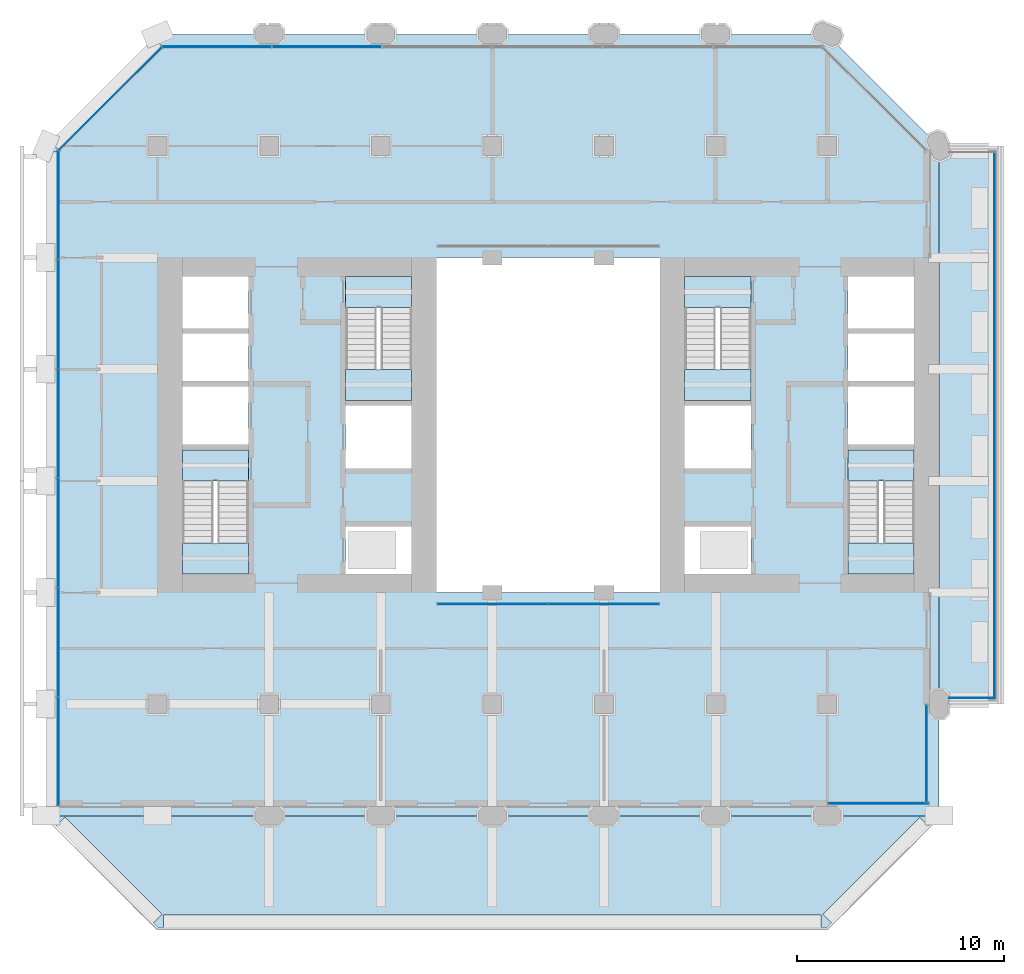
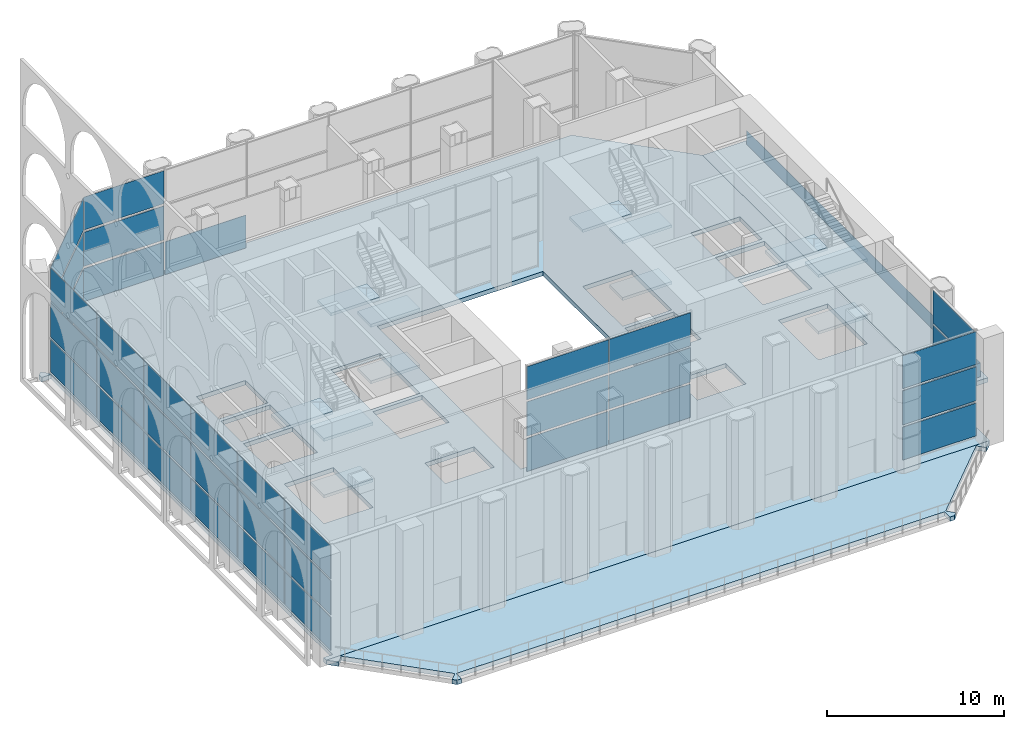
# One storey, part 8 of 20: 39 plates, 15 slabs, 10 elements without a shape of their own.
"""IFC4 building model written with IfcOpenShell, lengths in metres."""

import ifcopenshell
import ifcopenshell.guid

model = None  # the IFC model being written
_history = None  # IfcOwnerHistory: only IFC2X3 demands one
_inside = {}  # id of a spatial element -> (the spatial element, [elements in it])
_under = {}  # id of a project, library or spatial element -> (it, [spatial elements below it])
_declared = {}  # id of a project -> (the project, [libraries it declares])
_typed = {}  # id of a type object -> (the type object, [elements of that type])
_made_of = {}  # id of a material, layer set ... -> (it, [elements and type objects made of it])


def new_model(schema):
    """Start an empty IFC model of exactly this schema.

    Asked for "IFC4X3", IfcOpenShell would pick the latest addendum, in which some entities
    have other attributes; the version numbers below select the first issue.
    IFC2X3 requires an IfcOwnerHistory on every rooted entity: one is made here for all.
    """
    global model, _history
    if schema == "IFC4X3":
        model = ifcopenshell.file(schema_version=(4, 3, 0, 0))
    else:
        model = ifcopenshell.file(schema=schema)
    _inside.clear()
    _under.clear()
    _declared.clear()
    _typed.clear()
    _made_of.clear()
    _history = None
    if model.schema == "IFC2X3":
        org = make("IfcOrganization", Name="unknown")
        user = make(
            "IfcPersonAndOrganization",
            ThePerson=make("IfcPerson", FamilyName="unknown"),
            TheOrganization=org,
        )
        app = make(
            "IfcApplication",
            ApplicationDeveloper=org,
            Version="unknown",
            ApplicationFullName="unknown",
            ApplicationIdentifier="unknown",
        )
        _history = make(
            "IfcOwnerHistory",
            OwningUser=user,
            OwningApplication=app,
            ChangeAction="ADDED",
            CreationDate=0,
        )
    return model


def make(cls, **values):
    """One entity of the class cls with the attributes given. An attribute that is None is left unset."""
    return model.create_entity(
        cls, **{name: value for name, value in values.items() if value is not None}
    )


def rooted(cls, **values):
    """An entity with a GlobalId (a new one), such as an element, a storey or a relation."""
    return make(cls, GlobalId=ifcopenshell.guid.new(), OwnerHistory=_history, **values)


def si_unit(unit_type, name, prefix=None):
    """IfcSIUnit, for example si_unit("LENGTHUNIT", "METRE", prefix="MILLI")."""
    return make("IfcSIUnit", UnitType=unit_type, Prefix=prefix, Name=name)


def assignment(units):
    """IfcUnitAssignment: the units of a project."""
    return None if units is None else make("IfcUnitAssignment", Units=units)


def point(xyz):
    """IfcCartesianPoint."""
    return None if xyz is None else make("IfcCartesianPoint", Coordinates=xyz)


def direction(xyz):
    """IfcDirection."""
    return None if xyz is None else make("IfcDirection", DirectionRatios=xyz)


def frame(location, z_axis=None, x_axis=None):
    """IfcAxis2Placement3D, a coordinate frame: its origin and axes. An axis left out is left unset."""
    return make(
        "IfcAxis2Placement3D",
        Location=point(location),
        Axis=direction(z_axis),
        RefDirection=direction(x_axis),
    )


def frame_2d(location, x_axis=None):
    """IfcAxis2Placement2D, a coordinate frame in the plane: its origin and x axis."""
    return make(
        "IfcAxis2Placement2D", Location=point(location), RefDirection=direction(x_axis)
    )


def origin():
    """The frame at (0, 0, 0) with its axes left unset."""
    return frame((0.0, 0.0, 0.0))


def origin_2d():
    """The frame at (0, 0) in the plane with its x axis left unset."""
    return frame_2d((0.0, 0.0))


def place(relative_to, where):
    """IfcLocalPlacement: puts the frame where relative to a parent placement (None: the world)."""
    return make(
        "IfcLocalPlacement", PlacementRelTo=relative_to, RelativePlacement=where
    )


def context(
    kind, dimensions, precision=None, world=None, true_north=None, identifier=None
):
    """IfcGeometricRepresentationContext, for example the 3D "Model" context."""
    return make(
        "IfcGeometricRepresentationContext",
        ContextIdentifier=identifier,
        ContextType=kind,
        CoordinateSpaceDimension=dimensions,
        Precision=precision,
        WorldCoordinateSystem=world,
        TrueNorth=true_north,
    )


def subcontext(parent, identifier, kind, view, scale=None):
    """IfcGeometricRepresentationSubContext, for example "Body" below "Model"."""
    return make(
        "IfcGeometricRepresentationSubContext",
        ContextIdentifier=identifier,
        ContextType=kind,
        ParentContext=parent,
        TargetScale=scale,
        TargetView=view,
    )


def project(units=None, contexts=None):
    """IfcProject with its units and contexts."""
    return rooted(
        "IfcProject",
        Name="project",
        RepresentationContexts=contexts,
        UnitsInContext=assignment(units),
    )


def spatial(cls, under=None, at=None, **own):
    """A site, building, storey or space (cls), placed at a placement, below another one or the project."""
    s = rooted(cls, ObjectPlacement=at, **own)
    if under is not None:
        _under.setdefault(under.id(), (under, []))[1].append(s)
    return s


def polyline(points):
    """IfcPolyline through the points."""
    return make("IfcPolyline", Points=[point(p) for p in points])


def profile(cls, at=None, kind="AREA", **sizes):
    """A parametric profile (cls). Its sizes go by their IFC names, for example OverallWidth=200.0."""
    return make(cls, ProfileType=kind, Position=at, **sizes)


def rectangle(**sizes):
    """IfcRectangleProfileDef."""
    return profile("IfcRectangleProfileDef", **sizes)


def outline(outer, holes=None, kind="AREA"):
    """IfcArbitraryClosedProfileDef: a profile drawn as a closed curve; with holes, ...WithVoids."""
    if holes is None:
        return make("IfcArbitraryClosedProfileDef", ProfileType=kind, OuterCurve=outer)
    return make(
        "IfcArbitraryProfileDefWithVoids",
        ProfileType=kind,
        OuterCurve=outer,
        InnerCurves=holes,
    )


def extrude(swept, where, along, depth):
    """IfcExtrudedAreaSolid: the profile swept, set in the frame where, extruded along a direction by depth."""
    return make(
        "IfcExtrudedAreaSolid",
        SweptArea=swept,
        Position=where,
        ExtrudedDirection=direction(along),
        Depth=depth,
    )


def shape(context_of_items, identifier, shape_type, items):
    """IfcShapeRepresentation: the items that make up one representation, for example the "Body"."""
    return make(
        "IfcShapeRepresentation",
        ContextOfItems=context_of_items,
        RepresentationIdentifier=identifier,
        RepresentationType=shape_type,
        Items=items,
    )


def material(Name=None, Category=None):
    """IfcMaterial."""
    return make("IfcMaterial", Name=Name, Category=Category)


def layer(
    of_material, thickness, ventilated=None, Name=None, Category=None, Priority=None
):
    """IfcMaterialLayer: one layer of a wall or slab, of a material (None: an air gap)."""
    return make(
        "IfcMaterialLayer",
        Material=of_material,
        LayerThickness=thickness,
        IsVentilated=ventilated,
        Name=Name,
        Category=Category,
        Priority=Priority,
    )


def layer_set(layers, Name=None):
    """IfcMaterialLayerSet."""
    return make("IfcMaterialLayerSet", MaterialLayers=layers, LayerSetName=Name)


def made_of(thing, what):
    """Note that an element or type object is made of a material, layer set ...; save() writes the relation."""
    if what is not None:
        _made_of.setdefault(what.id(), (what, []))[1].append(thing)
    return thing


def type_object(cls, material=None, **own):
    """A type object (cls), such as IfcWallType, which elements share."""
    return made_of(rooted(cls, **own), material)


def element(
    cls,
    number,
    at=None,
    inside=None,
    cuts=None,
    type_object=None,
    material=None,
    context=None,
    identifier="Body",
    shape_type=None,
    held_by="IfcProductDefinitionShape",
    body=None,
    shapes=None,
    **own,
):
    """One element of the class cls, such as IfcWall. Its Tag is "e" and its number.

    at: its placement. inside: the storey or other place that contains it. cuts: it is an
    opening in that element (IfcRelVoidsElement). A single representation is given by context,
    identifier, shape_type and body (its items); several are given by shapes. held_by: the class
    of the entity that holds the representations. save() writes the other relations.
    """
    e = rooted(cls, Tag="e%d" % number, ObjectPlacement=at, **own)
    if body is not None:
        shapes = [shape(context, identifier, shape_type, body)]
    if shapes is not None:
        e.Representation = make(held_by, Representations=shapes)
    if inside is not None:
        _inside.setdefault(inside.id(), (inside, []))[1].append(e)
    if cuts is not None:
        rooted(
            "IfcRelVoidsElement", RelatingBuildingElement=cuts, RelatedOpeningElement=e
        )
    if type_object is not None:
        _typed.setdefault(type_object.id(), (type_object, []))[1].append(e)
    return made_of(e, material)


def aggregate(whole, parts):
    """IfcRelAggregates: a whole, such as a stair, and the parts it consists of."""
    return rooted("IfcRelAggregates", RelatingObject=whole, RelatedObjects=parts)


def save(model, path):
    """Write the relations noted so far, then the file.

    IfcRelAggregates (storeys below a building ...), IfcRelContainedInSpatialStructure (elements
    in a storey), IfcRelDefinesByType, IfcRelAssociatesMaterial and IfcRelDeclares: one each for
    every whole, place, type object, material and project.
    """
    for whole, parts in _under.values():
        aggregate(whole, parts)
    for where, things in _inside.values():
        rooted(
            "IfcRelContainedInSpatialStructure",
            RelatedElements=things,
            RelatingStructure=where,
        )
    for kind, things in _typed.values():
        rooted("IfcRelDefinesByType", RelatedObjects=things, RelatingType=kind)
    for what, things in _made_of.values():
        rooted("IfcRelAssociatesMaterial", RelatedObjects=things, RelatingMaterial=what)
    for by, libraries in _declared.values():
        rooted("IfcRelDeclares", RelatingContext=by, RelatedDefinitions=libraries)
    model.write(path)


model = new_model("IFC4")

# Units and contexts
model_context = context("Model", 3, precision=1e-05, world=origin(), true_north=direction((0.0, 1.0)))
body_context = subcontext(model_context, "Body", "Model", "MODEL_VIEW")
ifc_project = project(units=[si_unit("LENGTHUNIT", "METRE"), si_unit("AREAUNIT", "SQUARE_METRE"), si_unit("VOLUMEUNIT", "CUBIC_METRE"), si_unit("PLANEANGLEUNIT", "RADIAN"), si_unit("MASSUNIT", "GRAM", prefix="KILO")], contexts=[model_context])

# Site, building, storey
site_placement = place(None, origin())
site = spatial("IfcSite", under=ifc_project, at=site_placement, CompositionType="ELEMENT")
building_placement = place(site_placement, origin())
building = spatial("IfcBuilding", under=site, at=building_placement, Name="Tabaq Tower and Sports Hall", CompositionType="ELEMENT")
storey_placement = place(building_placement, frame((0.0, 0.0, 130.60009765625)))
storey = spatial("IfcBuildingStorey", under=building, at=storey_placement, Name="L31", CompositionType="ELEMENT", Elevation=130.60009765625)

# Curtain wall, plates
ifc_material_1 = material(Name="Aluminium alloy 6063-T6 framed glazing", Category="aluminium")
curtain_wall_type_1 = type_object("IfcCurtainWallType", Name="CW1 curtain wall", PredefinedType="USERDEFINED", material=ifc_material_1)
curtain_wall_1_placement = place(storey_placement, origin())
curtain_wall_1 = element("IfcCurtainWall", 1, at=curtain_wall_1_placement, inside=storey, type_object=curtain_wall_type_1, Name="Atrium glazing L31 S", ObjectType="ATRIUM ENCLOSURE", PredefinedType="USERDEFINED")
ifc_material_2 = material(Name="Clear low-emissivity glass 28 mm", Category="glass")
ifc_layer_1 = layer(ifc_material_2, 0.028076171875)
ifc_layer_set_1 = layer_set([ifc_layer_1], Name="CW1 glass panel 28")
plate_type_1 = type_object("IfcPlateType", Name="CW1 glass panel 28", PredefinedType="CURTAIN_PANEL", material=ifc_layer_set_1)
plate_1_placement = place(storey_placement, frame((21.614990234375, 15.64990234375, 0.139892578125), z_axis=(0.0, 0.0, 1.0), x_axis=(1.0, 0.0, 0.0)))
plate_1 = element("IfcPlate", 2, at=plate_1_placement, type_object=plate_type_1, Name="CW1 panel 1.1", PredefinedType="CURTAIN_PANEL", context=body_context, shape_type="SweptSolid", body=[
    extrude(rectangle(XDim=5.31005859375, YDim=0.028076171875, at=origin_2d()), origin(), (0.0, 0.0, 1.0), 2.2900390625),
])
plate_2_placement = place(storey_placement, frame((21.614990234375, 15.64990234375, 2.56982421875), z_axis=(0.0, 0.0, 1.0), x_axis=(1.0, 0.0, 0.0)))
plate_2 = element("IfcPlate", 3, at=plate_2_placement, type_object=plate_type_1, Name="CW1 panel 1.2", PredefinedType="CURTAIN_PANEL", context=body_context, shape_type="SweptSolid", body=[
    extrude(rectangle(XDim=5.31005859375, YDim=0.028076171875, at=origin_2d()), origin(), (0.0, 0.0, 1.0), 2.360107421875),
])
plate_3_placement = place(storey_placement, frame((21.614990234375, 15.64990234375, 5.06982421875), z_axis=(0.0, 0.0, 1.0), x_axis=(1.0, 0.0, 0.0)))
plate_3 = element("IfcPlate", 4, at=plate_3_placement, type_object=plate_type_1, Name="CW1 panel 1.3", PredefinedType="CURTAIN_PANEL", context=body_context, shape_type="SweptSolid", body=[
    extrude(rectangle(XDim=5.31005859375, YDim=0.028076171875, at=origin_2d()), origin(), (0.0, 0.0, 1.0), 2.2900390625),
])
plate_4_placement = place(storey_placement, frame((26.985107421875, 15.64990234375, 0.139892578125), z_axis=(0.0, 0.0, 1.0), x_axis=(1.0, 0.0, 0.0)))
plate_4 = element("IfcPlate", 5, at=plate_4_placement, type_object=plate_type_1, Name="CW1 panel 2.1", PredefinedType="CURTAIN_PANEL", context=body_context, shape_type="SweptSolid", body=[
    extrude(rectangle(XDim=5.31005859375, YDim=0.028076171875, at=origin_2d()), origin(), (0.0, 0.0, 1.0), 2.2900390625),
])
plate_5_placement = place(storey_placement, frame((26.985107421875, 15.64990234375, 2.56982421875), z_axis=(0.0, 0.0, 1.0), x_axis=(1.0, 0.0, 0.0)))
plate_5 = element("IfcPlate", 6, at=plate_5_placement, type_object=plate_type_1, Name="CW1 panel 2.2", PredefinedType="CURTAIN_PANEL", context=body_context, shape_type="SweptSolid", body=[
    extrude(rectangle(XDim=5.31005859375, YDim=0.028076171875, at=origin_2d()), origin(), (0.0, 0.0, 1.0), 2.360107421875),
])
plate_6_placement = place(storey_placement, frame((26.985107421875, 15.64990234375, 5.06982421875), z_axis=(0.0, 0.0, 1.0), x_axis=(1.0, 0.0, 0.0)))
plate_6 = element("IfcPlate", 7, at=plate_6_placement, type_object=plate_type_1, Name="CW1 panel 2.3", PredefinedType="CURTAIN_PANEL", context=body_context, shape_type="SweptSolid", body=[
    extrude(rectangle(XDim=5.31005859375, YDim=0.028076171875, at=origin_2d()), origin(), (0.0, 0.0, 1.0), 2.2900390625),
])
aggregate(curtain_wall_1, [plate_1, plate_2, plate_3, plate_4, plate_5, plate_6])

ifc_material_3 = material(Name="Aluminium alloy 6063-T6 framed glazing", Category="aluminium")
curtain_wall_type_2 = type_object("IfcCurtainWallType", Name="CW2 curtain wall", PredefinedType="USERDEFINED", material=ifc_material_3)
curtain_wall_2_placement = place(storey_placement, origin())
curtain_wall_2 = element("IfcCurtainWall", 8, at=curtain_wall_2_placement, inside=storey, type_object=curtain_wall_type_2, Name="Sky Lobby Wall L31 S", ObjectType="SKY LOBBY WALL", PredefinedType="USERDEFINED")
ifc_material_4 = material(Name="Clear low-emissivity glass 28 mm", Category="glass")
ifc_layer_2 = layer(ifc_material_4, 0.031982421875)
ifc_layer_set_2 = layer_set([ifc_layer_2], Name="CW2 glass panel 32")
plate_type_2 = type_object("IfcPlateType", Name="CW2 glass panel 32", PredefinedType="CURTAIN_PANEL", material=ifc_layer_set_2)
plate_7_placement = place(storey_placement, frame((40.27490234375, 6.0, 0.15966796875), z_axis=(0.0, 0.0, 1.0), x_axis=(1.0, 0.0, 0.0)))
plate_7 = element("IfcPlate", 9, at=plate_7_placement, type_object=plate_type_2, Name="CW2 panel 1.1", PredefinedType="CURTAIN_PANEL", context=body_context, shape_type="SweptSolid", body=[
    extrude(rectangle(XDim=4.81005859375, YDim=0.031982421875, at=origin_2d()), origin(), (0.0, 0.0, 1.0), 2.260009765625),
])
plate_8_placement = place(storey_placement, frame((40.27490234375, 6.0, 2.580078125), z_axis=(0.0, 0.0, 1.0), x_axis=(1.0, 0.0, 0.0)))
plate_8 = element("IfcPlate", 10, at=plate_8_placement, type_object=plate_type_2, Name="CW2 panel 1.2", PredefinedType="CURTAIN_PANEL", context=body_context, shape_type="SweptSolid", body=[
    extrude(rectangle(XDim=4.81005859375, YDim=0.031982421875, at=origin_2d()), origin(), (0.0, 0.0, 1.0), 2.340087890625),
])
plate_9_placement = place(storey_placement, frame((40.27490234375, 6.0, 5.080078125), z_axis=(0.0, 0.0, 1.0), x_axis=(1.0, 0.0, 0.0)))
plate_9 = element("IfcPlate", 11, at=plate_9_placement, type_object=plate_type_2, Name="CW2 panel 1.3", PredefinedType="CURTAIN_PANEL", context=body_context, shape_type="SweptSolid", body=[
    extrude(rectangle(XDim=4.81005859375, YDim=0.031982421875, at=origin_2d()), origin(), (0.0, 0.0, 1.0), 2.260009765625),
])
aggregate(curtain_wall_2, [plate_7, plate_8, plate_9])

curtain_wall_3_placement = place(storey_placement, origin())
curtain_wall_3 = element("IfcCurtainWall", 12, at=curtain_wall_3_placement, inside=storey, type_object=curtain_wall_type_2, Name="Sky Lobby Wall L31 E", ObjectType="SKY LOBBY WALL", PredefinedType="USERDEFINED")
plate_10_placement = place(storey_placement, frame((42.60009765625, 8.39990234375, 0.15966796875), z_axis=(0.0, 0.0, 1.0), x_axis=(0.0, 1.0, 0.0)))
plate_10 = element("IfcPlate", 13, at=plate_10_placement, type_object=plate_type_2, Name="CW2 panel 1.1", PredefinedType="CURTAIN_PANEL", context=body_context, shape_type="SweptSolid", body=[
    extrude(rectangle(XDim=4.659912109375, YDim=0.031982421875, at=origin_2d()), origin(), (0.0, 0.0, 1.0), 2.260009765625),
])
plate_11_placement = place(storey_placement, frame((42.60009765625, 8.39990234375, 2.580078125), z_axis=(0.0, 0.0, 1.0), x_axis=(0.0, 1.0, 0.0)))
plate_11 = element("IfcPlate", 14, at=plate_11_placement, type_object=plate_type_2, Name="CW2 panel 1.2", PredefinedType="CURTAIN_PANEL", context=body_context, shape_type="SweptSolid", body=[
    extrude(rectangle(XDim=4.659912109375, YDim=0.031982421875, at=origin_2d()), origin(), (0.0, 0.0, 1.0), 2.340087890625),
])
plate_12_placement = place(storey_placement, frame((42.60009765625, 8.39990234375, 5.080078125), z_axis=(0.0, 0.0, 1.0), x_axis=(0.0, 1.0, 0.0)))
plate_12 = element("IfcPlate", 15, at=plate_12_placement, type_object=plate_type_2, Name="CW2 panel 1.3", PredefinedType="CURTAIN_PANEL", context=body_context, shape_type="SweptSolid", body=[
    extrude(rectangle(XDim=4.659912109375, YDim=0.031982421875, at=origin_2d()), origin(), (0.0, 0.0, 1.0), 2.260009765625),
])
aggregate(curtain_wall_3, [plate_10, plate_11, plate_12])

curtain_wall_4_placement = place(storey_placement, origin())
curtain_wall_4 = element("IfcCurtainWall", 16, at=curtain_wall_4_placement, inside=storey, type_object=curtain_wall_type_2, Name="Sky Lobby Wall L31 N", ObjectType="SKY LOBBY WALL", PredefinedType="USERDEFINED")
plate_13_placement = place(storey_placement, frame((13.59326171875, 42.60009765625, 0.15966796875), z_axis=(0.0, 0.0, 1.0), x_axis=(-1.0, 0.0, 0.0)))
plate_13 = element("IfcPlate", 17, at=plate_13_placement, type_object=plate_type_2, Name="CW2 panel 5.1", PredefinedType="CURTAIN_PANEL", context=body_context, shape_type="SweptSolid", body=[
    extrude(rectangle(XDim=5.267822265625, YDim=0.031982421875, at=origin_2d()), origin(), (0.0, 0.0, 1.0), 2.260009765625),
])
plate_14_placement = place(storey_placement, frame((8.27294921875, 42.60009765625, 0.15966796875), z_axis=(0.0, 0.0, 1.0), x_axis=(-1.0, 0.0, 0.0)))
plate_14 = element("IfcPlate", 18, at=plate_14_placement, type_object=plate_type_2, Name="CW2 panel 6.1", PredefinedType="CURTAIN_PANEL", context=body_context, shape_type="SweptSolid", body=[
    extrude(rectangle(XDim=5.23291015625, YDim=0.031982421875, at=origin_2d()), origin(), (0.0, 0.0, 1.0), 2.260009765625),
])
plate_15_placement = place(storey_placement, frame((8.27294921875, 42.60009765625, 2.580078125), z_axis=(0.0, 0.0, 1.0), x_axis=(-1.0, 0.0, 0.0)))
plate_15 = element("IfcPlate", 19, at=plate_15_placement, type_object=plate_type_2, Name="CW2 panel 6.2", PredefinedType="CURTAIN_PANEL", context=body_context, shape_type="SweptSolid", body=[
    extrude(rectangle(XDim=5.23291015625, YDim=0.031982421875, at=origin_2d()), origin(), (0.0, 0.0, 1.0), 2.340087890625),
])
plate_16_placement = place(storey_placement, frame((8.27294921875, 42.60009765625, 5.080078125), z_axis=(0.0, 0.0, 1.0), x_axis=(-1.0, 0.0, 0.0)))
plate_16 = element("IfcPlate", 20, at=plate_16_placement, type_object=plate_type_2, Name="CW2 panel 6.3", PredefinedType="CURTAIN_PANEL", context=body_context, shape_type="SweptSolid", body=[
    extrude(rectangle(XDim=5.23291015625, YDim=0.031982421875, at=origin_2d()), origin(), (0.0, 0.0, 1.0), 2.260009765625),
])
aggregate(curtain_wall_4, [plate_13, plate_14, plate_15, plate_16])

curtain_wall_5_placement = place(storey_placement, origin())
curtain_wall_5 = element("IfcCurtainWall", 21, at=curtain_wall_5_placement, inside=storey, type_object=curtain_wall_type_2, Name="Sky Lobby Wall L31 NW", ObjectType="SKY LOBBY WALL", PredefinedType="USERDEFINED")
plate_17_placement = place(storey_placement, frame((3.124267578125, 40.07568359375, 0.15966796875), z_axis=(0.0, 0.0, 1.0), x_axis=(-0.707106781187, -0.707106781187, 0.0)))
plate_17 = element("IfcPlate", 22, at=plate_17_placement, type_object=plate_type_2, Name="CW2 panel 1.1", PredefinedType="CURTAIN_PANEL", context=body_context, shape_type="SweptSolid", body=[
    extrude(rectangle(XDim=6.999755859375, YDim=0.031982421875, at=origin_2d()), origin(), (0.0, 0.0, 1.0), 2.260009765625),
])
plate_18_placement = place(storey_placement, frame((3.124267578125, 40.07568359375, 2.580078125), z_axis=(0.0, 0.0, 1.0), x_axis=(-0.707106781187, -0.707106781187, 0.0)))
plate_18 = element("IfcPlate", 23, at=plate_18_placement, type_object=plate_type_2, Name="CW2 panel 1.2", PredefinedType="CURTAIN_PANEL", context=body_context, shape_type="SweptSolid", body=[
    extrude(rectangle(XDim=6.999755859375, YDim=0.031982421875, at=origin_2d()), origin(), (0.0, 0.0, 1.0), 2.340087890625),
])
plate_19_placement = place(storey_placement, frame((3.124267578125, 40.07568359375, 5.080078125), z_axis=(0.0, 0.0, 1.0), x_axis=(-0.707106781187, -0.707106781187, 0.0)))
plate_19 = element("IfcPlate", 24, at=plate_19_placement, type_object=plate_type_2, Name="CW2 panel 1.3", PredefinedType="CURTAIN_PANEL", context=body_context, shape_type="SweptSolid", body=[
    extrude(rectangle(XDim=6.999755859375, YDim=0.031982421875, at=origin_2d()), origin(), (0.0, 0.0, 1.0), 2.260009765625),
])
aggregate(curtain_wall_5, [plate_17, plate_18, plate_19])

curtain_wall_6_placement = place(storey_placement, origin())
curtain_wall_6 = element("IfcCurtainWall", 25, at=curtain_wall_6_placement, inside=storey, type_object=curtain_wall_type_2, Name="Sky Lobby Wall L31 W", ObjectType="SKY LOBBY WALL", PredefinedType="USERDEFINED")
plate_20_placement = place(storey_placement, frame((0.60009765625, 34.94921875, 0.15966796875), z_axis=(0.0, 0.0, 1.0), x_axis=(0.0, -1.0, 0.0)))
plate_20 = element("IfcPlate", 26, at=plate_20_placement, type_object=plate_type_2, Name="CW2 panel 1.1", PredefinedType="CURTAIN_PANEL", context=body_context, shape_type="SweptSolid", body=[
    extrude(rectangle(XDim=5.18896484375, YDim=0.031982421875, at=origin_2d()), origin(), (0.0, 0.0, 1.0), 2.260009765625),
])
plate_21_placement = place(storey_placement, frame((0.60009765625, 34.94921875, 2.580078125), z_axis=(0.0, 0.0, 1.0), x_axis=(0.0, -1.0, 0.0)))
plate_21 = element("IfcPlate", 27, at=plate_21_placement, type_object=plate_type_2, Name="CW2 panel 1.2", PredefinedType="CURTAIN_PANEL", context=body_context, shape_type="SweptSolid", body=[
    extrude(rectangle(XDim=5.18896484375, YDim=0.031982421875, at=origin_2d()), origin(), (0.0, 0.0, 1.0), 2.340087890625),
])
plate_22_placement = place(storey_placement, frame((0.60009765625, 34.94921875, 5.080078125), z_axis=(0.0, 0.0, 1.0), x_axis=(0.0, -1.0, 0.0)))
plate_22 = element("IfcPlate", 28, at=plate_22_placement, type_object=plate_type_2, Name="CW2 panel 1.3", PredefinedType="CURTAIN_PANEL", context=body_context, shape_type="SweptSolid", body=[
    extrude(rectangle(XDim=5.18896484375, YDim=0.031982421875, at=origin_2d()), origin(), (0.0, 0.0, 1.0), 2.260009765625),
])
plate_23_placement = place(storey_placement, frame((0.60009765625, 29.672607421875, 0.15966796875), z_axis=(0.0, 0.0, 1.0), x_axis=(0.0, -1.0, 0.0)))
plate_23 = element("IfcPlate", 29, at=plate_23_placement, type_object=plate_type_2, Name="CW2 panel 2.1", PredefinedType="CURTAIN_PANEL", context=body_context, shape_type="SweptSolid", body=[
    extrude(rectangle(XDim=5.223876953125, YDim=0.031982421875, at=origin_2d()), origin(), (0.0, 0.0, 1.0), 2.260009765625),
])
plate_24_placement = place(storey_placement, frame((0.60009765625, 29.672607421875, 2.580078125), z_axis=(0.0, 0.0, 1.0), x_axis=(0.0, -1.0, 0.0)))
plate_24 = element("IfcPlate", 30, at=plate_24_placement, type_object=plate_type_2, Name="CW2 panel 2.2", PredefinedType="CURTAIN_PANEL", context=body_context, shape_type="SweptSolid", body=[
    extrude(rectangle(XDim=5.223876953125, YDim=0.031982421875, at=origin_2d()), origin(), (0.0, 0.0, 1.0), 2.340087890625),
])
plate_25_placement = place(storey_placement, frame((0.60009765625, 29.672607421875, 5.080078125), z_axis=(0.0, 0.0, 1.0), x_axis=(0.0, -1.0, 0.0)))
plate_25 = element("IfcPlate", 31, at=plate_25_placement, type_object=plate_type_2, Name="CW2 panel 2.3", PredefinedType="CURTAIN_PANEL", context=body_context, shape_type="SweptSolid", body=[
    extrude(rectangle(XDim=5.223876953125, YDim=0.031982421875, at=origin_2d()), origin(), (0.0, 0.0, 1.0), 2.260009765625),
])
plate_26_placement = place(storey_placement, frame((0.60009765625, 24.378662109375, 0.15966796875), z_axis=(0.0, 0.0, 1.0), x_axis=(0.0, -1.0, 0.0)))
plate_26 = element("IfcPlate", 32, at=plate_26_placement, type_object=plate_type_2, Name="CW2 panel 3.1", PredefinedType="CURTAIN_PANEL", context=body_context, shape_type="SweptSolid", body=[
    extrude(rectangle(XDim=5.223876953125, YDim=0.031982421875, at=origin_2d()), origin(), (0.0, 0.0, 1.0), 2.260009765625),
])
plate_27_placement = place(storey_placement, frame((0.60009765625, 24.378662109375, 2.580078125), z_axis=(0.0, 0.0, 1.0), x_axis=(0.0, -1.0, 0.0)))
plate_27 = element("IfcPlate", 33, at=plate_27_placement, type_object=plate_type_2, Name="CW2 panel 3.2", PredefinedType="CURTAIN_PANEL", context=body_context, shape_type="SweptSolid", body=[
    extrude(rectangle(XDim=5.223876953125, YDim=0.031982421875, at=origin_2d()), origin(), (0.0, 0.0, 1.0), 2.340087890625),
])
plate_28_placement = place(storey_placement, frame((0.60009765625, 24.378662109375, 5.080078125), z_axis=(0.0, 0.0, 1.0), x_axis=(0.0, -1.0, 0.0)))
plate_28 = element("IfcPlate", 34, at=plate_28_placement, type_object=plate_type_2, Name="CW2 panel 3.3", PredefinedType="CURTAIN_PANEL", context=body_context, shape_type="SweptSolid", body=[
    extrude(rectangle(XDim=5.223876953125, YDim=0.031982421875, at=origin_2d()), origin(), (0.0, 0.0, 1.0), 2.260009765625),
])
plate_29_placement = place(storey_placement, frame((0.60009765625, 19.084716796875, 0.15966796875), z_axis=(0.0, 0.0, 1.0), x_axis=(0.0, -1.0, 0.0)))
plate_29 = element("IfcPlate", 35, at=plate_29_placement, type_object=plate_type_2, Name="CW2 panel 4.1", PredefinedType="CURTAIN_PANEL", context=body_context, shape_type="SweptSolid", body=[
    extrude(rectangle(XDim=5.223876953125, YDim=0.031982421875, at=origin_2d()), origin(), (0.0, 0.0, 1.0), 2.260009765625),
])
plate_30_placement = place(storey_placement, frame((0.60009765625, 19.084716796875, 2.580078125), z_axis=(0.0, 0.0, 1.0), x_axis=(0.0, -1.0, 0.0)))
plate_30 = element("IfcPlate", 36, at=plate_30_placement, type_object=plate_type_2, Name="CW2 panel 4.2", PredefinedType="CURTAIN_PANEL", context=body_context, shape_type="SweptSolid", body=[
    extrude(rectangle(XDim=5.223876953125, YDim=0.031982421875, at=origin_2d()), origin(), (0.0, 0.0, 1.0), 2.340087890625),
])
plate_31_placement = place(storey_placement, frame((0.60009765625, 19.084716796875, 5.080078125), z_axis=(0.0, 0.0, 1.0), x_axis=(0.0, -1.0, 0.0)))
plate_31 = element("IfcPlate", 37, at=plate_31_placement, type_object=plate_type_2, Name="CW2 panel 4.3", PredefinedType="CURTAIN_PANEL", context=body_context, shape_type="SweptSolid", body=[
    extrude(rectangle(XDim=5.223876953125, YDim=0.031982421875, at=origin_2d()), origin(), (0.0, 0.0, 1.0), 2.260009765625),
])
plate_32_placement = place(storey_placement, frame((0.60009765625, 13.791015625, 0.15966796875), z_axis=(0.0, 0.0, 1.0), x_axis=(0.0, -1.0, 0.0)))
plate_32 = element("IfcPlate", 38, at=plate_32_placement, type_object=plate_type_2, Name="CW2 panel 5.1", PredefinedType="CURTAIN_PANEL", context=body_context, shape_type="SweptSolid", body=[
    extrude(rectangle(XDim=5.223876953125, YDim=0.031982421875, at=origin_2d()), origin(), (0.0, 0.0, 1.0), 2.260009765625),
])
plate_33_placement = place(storey_placement, frame((0.60009765625, 13.791015625, 2.580078125), z_axis=(0.0, 0.0, 1.0), x_axis=(0.0, -1.0, 0.0)))
plate_33 = element("IfcPlate", 39, at=plate_33_placement, type_object=plate_type_2, Name="CW2 panel 5.2", PredefinedType="CURTAIN_PANEL", context=body_context, shape_type="SweptSolid", body=[
    extrude(rectangle(XDim=5.223876953125, YDim=0.031982421875, at=origin_2d()), origin(), (0.0, 0.0, 1.0), 2.340087890625),
])
plate_34_placement = place(storey_placement, frame((0.60009765625, 13.791015625, 5.080078125), z_axis=(0.0, 0.0, 1.0), x_axis=(0.0, -1.0, 0.0)))
plate_34 = element("IfcPlate", 40, at=plate_34_placement, type_object=plate_type_2, Name="CW2 panel 5.3", PredefinedType="CURTAIN_PANEL", context=body_context, shape_type="SweptSolid", body=[
    extrude(rectangle(XDim=5.223876953125, YDim=0.031982421875, at=origin_2d()), origin(), (0.0, 0.0, 1.0), 2.260009765625),
])
plate_35_placement = place(storey_placement, frame((0.60009765625, 8.514404296875, 0.15966796875), z_axis=(0.0, 0.0, 1.0), x_axis=(0.0, -1.0, 0.0)))
plate_35 = element("IfcPlate", 41, at=plate_35_placement, type_object=plate_type_2, Name="CW2 panel 6.1", PredefinedType="CURTAIN_PANEL", context=body_context, shape_type="SweptSolid", body=[
    extrude(rectangle(XDim=5.18896484375, YDim=0.031982421875, at=origin_2d()), origin(), (0.0, 0.0, 1.0), 2.260009765625),
])
plate_36_placement = place(storey_placement, frame((0.60009765625, 8.514404296875, 2.580078125), z_axis=(0.0, 0.0, 1.0), x_axis=(0.0, -1.0, 0.0)))
plate_36 = element("IfcPlate", 42, at=plate_36_placement, type_object=plate_type_2, Name="CW2 panel 6.2", PredefinedType="CURTAIN_PANEL", context=body_context, shape_type="SweptSolid", body=[
    extrude(rectangle(XDim=5.18896484375, YDim=0.031982421875, at=origin_2d()), origin(), (0.0, 0.0, 1.0), 2.340087890625),
])
plate_37_placement = place(storey_placement, frame((0.60009765625, 8.514404296875, 5.080078125), z_axis=(0.0, 0.0, 1.0), x_axis=(0.0, -1.0, 0.0)))
plate_37 = element("IfcPlate", 43, at=plate_37_placement, type_object=plate_type_2, Name="CW2 panel 6.3", PredefinedType="CURTAIN_PANEL", context=body_context, shape_type="SweptSolid", body=[
    extrude(rectangle(XDim=5.18896484375, YDim=0.031982421875, at=origin_2d()), origin(), (0.0, 0.0, 1.0), 2.260009765625),
])
aggregate(curtain_wall_6, [plate_20, plate_21, plate_22, plate_23, plate_24, plate_25, plate_26, plate_27, plate_28, plate_29, plate_30, plate_31, plate_32, plate_33, plate_34, plate_35, plate_36, plate_37])

# Slab
ifc_material_5 = material(Name="Concrete C40/50", Category="concrete")
ifc_layer_3 = layer(ifc_material_5, 0.300048828125)
ifc_layer_set_3 = layer_set([ifc_layer_3], Name="Concrete C40/50 PT tray slab 300")
slab_type_1 = type_object("IfcSlabType", Name="Concrete C40/50 PT tray slab 300", PredefinedType="FLOOR", material=ifc_layer_set_3)
slab_1_placement = place(storey_placement, frame((0.0, 0.0, -0.300048828125)))
element("IfcSlab", 44, at=slab_1_placement, inside=storey, type_object=slab_type_1, Name="Tray slab L31", PredefinedType="FLOOR", context=body_context, shape_type="SweptSolid", body=[
    extrude(outline(polyline([(43.199951171875, 10.800048828125), (43.199951171875, 37.800048828125), (46.199951171875, 37.800048828125), (46.199951171875, 10.800048828125), (43.199951171875, 10.800048828125)])), origin(), (0.0, 0.0, 1.0), 0.300048828125),
])

# Stair, slabs
ifc_material_6 = material(Name="Concrete C40/50", Category="concrete")
stair_type = type_object("IfcStairType", Name="Exit stair", PredefinedType="HALF_TURN_STAIR", material=ifc_material_6)
stair_1_placement = place(storey_placement, origin())
stair_1 = element("IfcStair", 45, at=stair_1_placement, inside=storey, type_object=stair_type, Name="L31 Exit stair ST1", PredefinedType="HALF_TURN_STAIR")
ifc_material_7 = material(Name="Concrete C40/50", Category="concrete")
ifc_layer_4 = layer(ifc_material_7, 0.199951171875)
ifc_layer_set_4 = layer_set([ifc_layer_4], Name="Exit stair landing")
slab_type_2 = type_object("IfcSlabType", Name="Exit stair landing", PredefinedType="LANDING", material=ifc_layer_set_4)
slab_2_placement = place(storey_placement, frame((0.0, 0.0, 1.75)))
slab_2 = element("IfcSlab", 46, at=slab_2_placement, type_object=slab_type_2, Name="ST1 landing 1", PredefinedType="LANDING", context=body_context, shape_type="SweptSolid", body=[
    extrude(outline(polyline([(6.60009765625, 18.60009765625), (6.60009765625, 17.10009765625), (9.800048828125, 17.10009765625), (9.800048828125, 18.60009765625), (6.60009765625, 18.60009765625)])), origin(), (0.0, 0.0, 1.0), 0.199951171875),
])
slab_3_placement = place(storey_placement, frame((0.0, 0.0, 3.699951171875)))
slab_3 = element("IfcSlab", 47, at=slab_3_placement, type_object=slab_type_2, Name="ST1 landing 2", PredefinedType="LANDING", context=body_context, shape_type="SweptSolid", body=[
    extrude(outline(polyline([(6.60009765625, 23.10009765625), (6.60009765625, 21.60009765625), (9.800048828125, 21.60009765625), (9.800048828125, 23.10009765625), (6.60009765625, 23.10009765625)])), origin(), (0.0, 0.0, 1.0), 0.199951171875),
])
slab_4_placement = place(storey_placement, frame((0.0, 0.0, 5.64990234375)))
slab_4 = element("IfcSlab", 48, at=slab_4_placement, type_object=slab_type_2, Name="ST1 landing 3", PredefinedType="LANDING", context=body_context, shape_type="SweptSolid", body=[
    extrude(outline(polyline([(6.60009765625, 18.60009765625), (6.60009765625, 17.10009765625), (9.800048828125, 17.10009765625), (9.800048828125, 18.60009765625), (6.60009765625, 18.60009765625)])), origin(), (0.0, 0.0, 1.0), 0.199951171875),
])
aggregate(stair_1, [slab_2, slab_3, slab_4])

stair_2_placement = place(storey_placement, origin())
stair_2 = element("IfcStair", 49, at=stair_2_placement, inside=storey, type_object=stair_type, Name="L31 Exit stair ST2", PredefinedType="HALF_TURN_STAIR")
slab_5_placement = place(storey_placement, frame((0.0, 0.0, 1.75)))
slab_5 = element("IfcSlab", 50, at=slab_5_placement, type_object=slab_type_2, Name="ST2 landing 1", PredefinedType="LANDING", context=body_context, shape_type="SweptSolid", body=[
    extrude(outline(polyline([(14.5, 27.0), (14.5, 25.5), (17.699951171875, 25.5), (17.699951171875, 27.0), (14.5, 27.0)])), origin(), (0.0, 0.0, 1.0), 0.199951171875),
])
slab_6_placement = place(storey_placement, frame((0.0, 0.0, 3.699951171875)))
slab_6 = element("IfcSlab", 51, at=slab_6_placement, type_object=slab_type_2, Name="ST2 landing 2", PredefinedType="LANDING", context=body_context, shape_type="SweptSolid", body=[
    extrude(outline(polyline([(14.5, 31.5), (14.5, 30.0), (17.699951171875, 30.0), (17.699951171875, 31.5), (14.5, 31.5)])), origin(), (0.0, 0.0, 1.0), 0.199951171875),
])
slab_7_placement = place(storey_placement, frame((0.0, 0.0, 5.64990234375)))
slab_7 = element("IfcSlab", 52, at=slab_7_placement, type_object=slab_type_2, Name="ST2 landing 3", PredefinedType="LANDING", context=body_context, shape_type="SweptSolid", body=[
    extrude(outline(polyline([(14.5, 27.0), (14.5, 25.5), (17.699951171875, 25.5), (17.699951171875, 27.0), (14.5, 27.0)])), origin(), (0.0, 0.0, 1.0), 0.199951171875),
])
aggregate(stair_2, [slab_5, slab_6, slab_7])

stair_3_placement = place(storey_placement, origin())
stair_3 = element("IfcStair", 53, at=stair_3_placement, inside=storey, type_object=stair_type, Name="L31 Exit stair ST3", PredefinedType="HALF_TURN_STAIR")
slab_8_placement = place(storey_placement, frame((0.0, 0.0, 1.75)))
slab_8 = element("IfcSlab", 54, at=slab_8_placement, type_object=slab_type_2, Name="ST3 landing 1", PredefinedType="LANDING", context=body_context, shape_type="SweptSolid", body=[
    extrude(outline(polyline([(38.800048828125, 18.60009765625), (38.800048828125, 17.10009765625), (42.0, 17.10009765625), (42.0, 18.60009765625), (38.800048828125, 18.60009765625)])), origin(), (0.0, 0.0, 1.0), 0.199951171875),
])
slab_9_placement = place(storey_placement, frame((0.0, 0.0, 3.699951171875)))
slab_9 = element("IfcSlab", 55, at=slab_9_placement, type_object=slab_type_2, Name="ST3 landing 2", PredefinedType="LANDING", context=body_context, shape_type="SweptSolid", body=[
    extrude(outline(polyline([(38.800048828125, 23.10009765625), (38.800048828125, 21.60009765625), (42.0, 21.60009765625), (42.0, 23.10009765625), (38.800048828125, 23.10009765625)])), origin(), (0.0, 0.0, 1.0), 0.199951171875),
])
slab_10_placement = place(storey_placement, frame((0.0, 0.0, 5.64990234375)))
slab_10 = element("IfcSlab", 56, at=slab_10_placement, type_object=slab_type_2, Name="ST3 landing 3", PredefinedType="LANDING", context=body_context, shape_type="SweptSolid", body=[
    extrude(outline(polyline([(38.800048828125, 18.60009765625), (38.800048828125, 17.10009765625), (42.0, 17.10009765625), (42.0, 18.60009765625), (38.800048828125, 18.60009765625)])), origin(), (0.0, 0.0, 1.0), 0.199951171875),
])
aggregate(stair_3, [slab_8, slab_9, slab_10])

stair_4_placement = place(storey_placement, origin())
stair_4 = element("IfcStair", 57, at=stair_4_placement, inside=storey, type_object=stair_type, Name="L31 Exit stair ST4", PredefinedType="HALF_TURN_STAIR")
slab_11_placement = place(storey_placement, frame((0.0, 0.0, 1.75)))
slab_11 = element("IfcSlab", 58, at=slab_11_placement, type_object=slab_type_2, Name="ST4 landing 1", PredefinedType="LANDING", context=body_context, shape_type="SweptSolid", body=[
    extrude(outline(polyline([(30.89990234375, 27.0), (30.89990234375, 25.5), (34.10009765625, 25.5), (34.10009765625, 27.0), (30.89990234375, 27.0)])), origin(), (0.0, 0.0, 1.0), 0.199951171875),
])
slab_12_placement = place(storey_placement, frame((0.0, 0.0, 3.699951171875)))
slab_12 = element("IfcSlab", 59, at=slab_12_placement, type_object=slab_type_2, Name="ST4 landing 2", PredefinedType="LANDING", context=body_context, shape_type="SweptSolid", body=[
    extrude(outline(polyline([(30.89990234375, 31.5), (30.89990234375, 30.0), (34.10009765625, 30.0), (34.10009765625, 31.5), (30.89990234375, 31.5)])), origin(), (0.0, 0.0, 1.0), 0.199951171875),
])
slab_13_placement = place(storey_placement, frame((0.0, 0.0, 5.64990234375)))
slab_13 = element("IfcSlab", 60, at=slab_13_placement, type_object=slab_type_2, Name="ST4 landing 3", PredefinedType="LANDING", context=body_context, shape_type="SweptSolid", body=[
    extrude(outline(polyline([(30.89990234375, 27.0), (30.89990234375, 25.5), (34.10009765625, 25.5), (34.10009765625, 27.0), (30.89990234375, 27.0)])), origin(), (0.0, 0.0, 1.0), 0.199951171875),
])
aggregate(stair_4, [slab_11, slab_12, slab_13])

# Plates
ifc_material_8 = material(Name="Clear low-emissivity glass 28 mm", Category="glass")
ifc_layer_5 = layer(ifc_material_8, 0.02001953125)
ifc_layer_set_5 = layer_set([ifc_layer_5], Name="Laminated glass tray guard panel 20")
plate_type_3 = type_object("IfcPlateType", Name="Laminated glass tray guard panel 20", PredefinedType="USERDEFINED", material=ifc_layer_set_5)
plate_38_placement = place(storey_placement, frame((43.699951171875, 11.10009765625, 0.0), z_axis=(0.0, 0.0, 1.0), x_axis=(1.0, 0.0, 0.0)))
element("IfcPlate", 61, at=plate_38_placement, inside=storey, type_object=plate_type_3, Name="Tray guard glass L31", ObjectType="GUARD GLASS", PredefinedType="USERDEFINED", context=body_context, shape_type="SweptSolid", body=[
    extrude(rectangle(XDim=2.199951171875, YDim=0.02001953125, at=frame_2d((1.10009765625, 0.0))), origin(), (0.0, 0.0, 1.0), 0.949951171875),
])
plate_39_placement = place(storey_placement, frame((45.89990234375, 11.10009765625, 0.0), z_axis=(0.0, 0.0, 1.0), x_axis=(0.0, 1.0, 0.0)))
element("IfcPlate", 62, at=plate_39_placement, inside=storey, type_object=plate_type_3, Name="Tray guard glass L31", ObjectType="GUARD GLASS", PredefinedType="USERDEFINED", context=body_context, shape_type="SweptSolid", body=[
    extrude(rectangle(XDim=26.39990234375, YDim=0.02001953125, at=frame_2d((13.199951171875, 0.0))), origin(), (0.0, 0.0, 1.0), 0.949951171875),
])

# Slabs
ifc_material_9 = material(Name="Concrete C40/50", Category="concrete")
ifc_layer_6 = layer(ifc_material_9, 0.300048828125)
ifc_layer_set_6 = layer_set([ifc_layer_6], Name="PT FLOOR SLAB 300 C40/50")
slab_type_3 = type_object("IfcSlabType", Name="PT FLOOR SLAB 300 C40/50", PredefinedType="FLOOR", material=ifc_layer_set_6)
slab_14_placement = place(storey_placement, frame((0.0, 0.0, -0.300048828125)))
element("IfcSlab", 63, at=slab_14_placement, inside=storey, type_object=slab_type_3, Name="Floor Slab L31", PredefinedType="FLOOR", context=body_context, shape_type="SweptSolid", body=[
    extrude(outline(polyline([(37.800048828125, 43.199951171875), (5.39990234375, 43.199951171875), (5.22314453125, 43.023193359375), (5.57666015625, 42.669677734375), (5.6474609375, 42.598876953125), (0.63525390625, 37.5869140625), (0.211181640625, 38.010986328125), (0.0, 37.800048828125), (0.0, 37.50146484375), (0.5, 37.50146484375), (0.60009765625, 37.50146484375), (0.60009765625, 5.698486328125), (0.5, 5.698486328125), (0.0, 5.698486328125), (0.0, 5.39990234375), (43.199951171875, 5.39990234375), (43.199951171875, 37.800048828125), (37.800048828125, 43.199951171875)]), holes=[polyline([(14.5, 19.39990234375), (17.699951171875, 19.39990234375), (17.699951171875, 17.10009765625), (14.5, 17.10009765625), (14.5, 19.39990234375)]), polyline([(9.800048828125, 21.599365234375), (9.800048828125, 17.10009765625), (6.60009765625, 17.10009765625), (6.60009765625, 21.599365234375), (9.800048828125, 21.599365234375)]), polyline([(17.699951171875, 25.25), (17.699951171875, 22.199951171875), (14.5, 22.199951171875), (14.5, 25.25), (17.699951171875, 25.25)]), polyline([(18.89990234375, 32.39990234375), (29.699951171875, 32.39990234375), (29.699951171875, 16.199951171875), (18.89990234375, 16.199951171875), (18.89990234375, 32.39990234375)]), polyline([(9.800048828125, 26.175048828125), (9.800048828125, 23.35009765625), (6.60009765625, 23.35009765625), (6.60009765625, 26.175048828125), (9.800048828125, 26.175048828125)]), polyline([(9.800048828125, 28.72509765625), (9.800048828125, 26.425048828125), (6.60009765625, 26.425048828125), (6.60009765625, 28.72509765625), (9.800048828125, 28.72509765625)]), polyline([(17.699951171875, 29.99951171875), (17.699951171875, 25.5), (14.5, 25.5), (14.5, 29.99951171875), (17.699951171875, 29.99951171875)]), polyline([(9.800048828125, 31.5), (9.800048828125, 28.97509765625), (6.60009765625, 28.97509765625), (6.60009765625, 31.5), (9.800048828125, 31.5)]), polyline([(34.10009765625, 19.39990234375), (34.10009765625, 17.10009765625), (30.89990234375, 17.10009765625), (30.89990234375, 19.39990234375), (34.10009765625, 19.39990234375)]), polyline([(42.0, 21.599365234375), (42.0, 17.10009765625), (38.800048828125, 17.10009765625), (38.800048828125, 21.599365234375), (42.0, 21.599365234375)]), polyline([(34.10009765625, 25.25), (34.10009765625, 22.199951171875), (30.89990234375, 22.199951171875), (30.89990234375, 25.25), (34.10009765625, 25.25)]), polyline([(42.0, 26.175048828125), (42.0, 23.35009765625), (38.800048828125, 23.35009765625), (38.800048828125, 26.175048828125), (42.0, 26.175048828125)]), polyline([(42.0, 28.72509765625), (42.0, 26.425048828125), (38.800048828125, 26.425048828125), (38.800048828125, 28.72509765625), (42.0, 28.72509765625)]), polyline([(34.10009765625, 29.99951171875), (34.10009765625, 25.5), (30.89990234375, 25.5), (30.89990234375, 29.99951171875), (34.10009765625, 29.99951171875)]), polyline([(42.0, 31.5), (42.0, 28.97509765625), (38.800048828125, 28.97509765625), (38.800048828125, 31.5), (42.0, 31.5)])]), origin(), (0.0, 0.0, 1.0), 0.300048828125),
])
ifc_material_10 = material(Name="Concrete C40/50", Category="concrete")
ifc_layer_7 = layer(ifc_material_10, 0.300048828125)
ifc_layer_set_7 = layer_set([ifc_layer_7], Name="PT TERRACE SLAB 300 C40/50")
slab_type_4 = type_object("IfcSlabType", Name="PT TERRACE SLAB 300 C40/50", PredefinedType="FLOOR", material=ifc_layer_set_7)
slab_15_placement = place(storey_placement, frame((0.0, 0.0, -0.300048828125)))
element("IfcSlab", 64, at=slab_15_placement, inside=storey, type_object=slab_type_4, Name="Terrace Slab L31", PredefinedType="FLOOR", context=body_context, shape_type="SweptSolid", body=[
    extrude(outline(polyline([(5.18896484375, 0.211181640625), (5.39990234375, 0.0), (5.698486328125, 0.0), (5.698486328125, 0.5), (5.698486328125, 0.60009765625), (37.50146484375, 0.60009765625), (37.50146484375, 0.5), (37.50146484375, 0.0), (37.800048828125, 0.0), (38.010986328125, 0.211181640625), (37.5869140625, 0.63525390625), (42.273681640625, 5.322021484375), (42.34423828125, 5.25146484375), (42.69775390625, 4.89794921875), (43.199951171875, 5.39990234375), (0.0, 5.39990234375), (0.502197265625, 4.89794921875), (0.57275390625, 4.968505859375), (0.926513671875, 5.322021484375), (5.61328125, 0.63525390625), (5.18896484375, 0.211181640625)])), origin(), (0.0, 0.0, 1.0), 0.300048828125),
])

save(model, "model.ifc")
